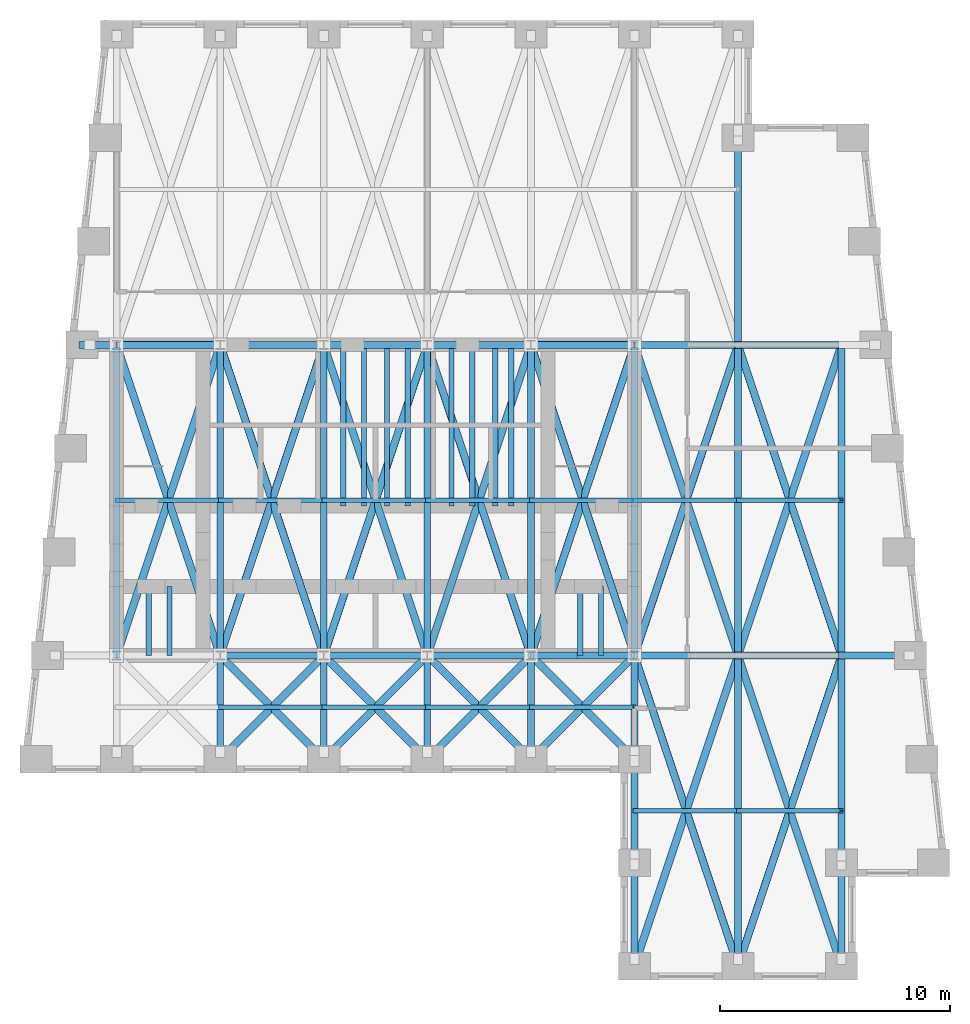
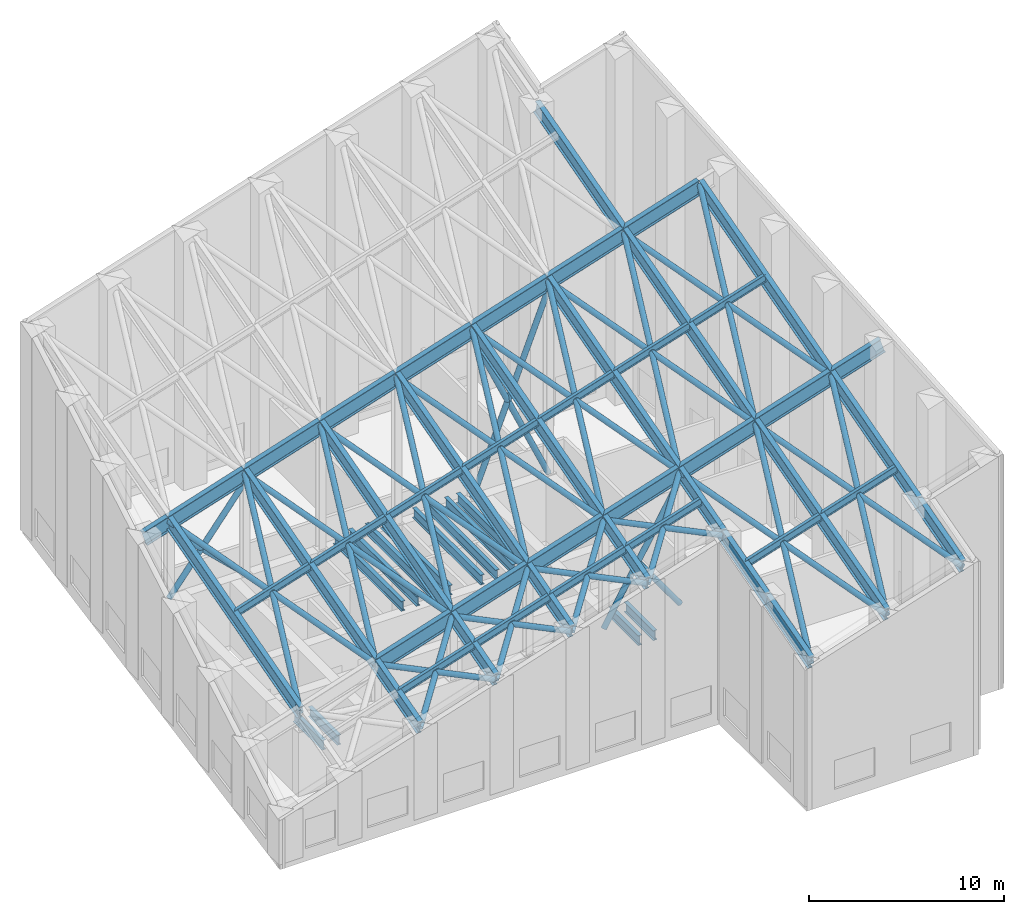
# One storey, part 2 of 7: 59 beams, 32 members.
"""IFC4 building model written with IfcOpenShell, lengths in metres."""

import ifcopenshell
import ifcopenshell.guid

model = None  # the IFC model being written
_history = None  # IfcOwnerHistory: only IFC2X3 demands one
_inside = {}  # id of a spatial element -> (the spatial element, [elements in it])
_under = {}  # id of a project, library or spatial element -> (it, [spatial elements below it])
_declared = {}  # id of a project -> (the project, [libraries it declares])
_typed = {}  # id of a type object -> (the type object, [elements of that type])
_made_of = {}  # id of a material, layer set ... -> (it, [elements and type objects made of it])


def new_model(schema):
    """Start an empty IFC model of exactly this schema.

    Asked for "IFC4X3", IfcOpenShell would pick the latest addendum, in which some entities
    have other attributes; the version numbers below select the first issue.
    IFC2X3 requires an IfcOwnerHistory on every rooted entity: one is made here for all.
    """
    global model, _history
    if schema == "IFC4X3":
        model = ifcopenshell.file(schema_version=(4, 3, 0, 0))
    else:
        model = ifcopenshell.file(schema=schema)
    _inside.clear()
    _under.clear()
    _declared.clear()
    _typed.clear()
    _made_of.clear()
    _history = None
    if model.schema == "IFC2X3":
        org = make("IfcOrganization", Name="unknown")
        user = make(
            "IfcPersonAndOrganization",
            ThePerson=make("IfcPerson", FamilyName="unknown"),
            TheOrganization=org,
        )
        app = make(
            "IfcApplication",
            ApplicationDeveloper=org,
            Version="unknown",
            ApplicationFullName="unknown",
            ApplicationIdentifier="unknown",
        )
        _history = make(
            "IfcOwnerHistory",
            OwningUser=user,
            OwningApplication=app,
            ChangeAction="ADDED",
            CreationDate=0,
        )
    return model


def make(cls, **values):
    """One entity of the class cls with the attributes given. An attribute that is None is left unset."""
    return model.create_entity(
        cls, **{name: value for name, value in values.items() if value is not None}
    )


def rooted(cls, **values):
    """An entity with a GlobalId (a new one), such as an element, a storey or a relation."""
    return make(cls, GlobalId=ifcopenshell.guid.new(), OwnerHistory=_history, **values)


def si_unit(unit_type, name, prefix=None):
    """IfcSIUnit, for example si_unit("LENGTHUNIT", "METRE", prefix="MILLI")."""
    return make("IfcSIUnit", UnitType=unit_type, Prefix=prefix, Name=name)


def assignment(units):
    """IfcUnitAssignment: the units of a project."""
    return None if units is None else make("IfcUnitAssignment", Units=units)


def point(xyz):
    """IfcCartesianPoint."""
    return None if xyz is None else make("IfcCartesianPoint", Coordinates=xyz)


def direction(xyz):
    """IfcDirection."""
    return None if xyz is None else make("IfcDirection", DirectionRatios=xyz)


def frame(location, z_axis=None, x_axis=None):
    """IfcAxis2Placement3D, a coordinate frame: its origin and axes. An axis left out is left unset."""
    return make(
        "IfcAxis2Placement3D",
        Location=point(location),
        Axis=direction(z_axis),
        RefDirection=direction(x_axis),
    )


def frame_2d(location, x_axis=None):
    """IfcAxis2Placement2D, a coordinate frame in the plane: its origin and x axis."""
    return make(
        "IfcAxis2Placement2D", Location=point(location), RefDirection=direction(x_axis)
    )


def origin():
    """The frame at (0, 0, 0) with its axes left unset."""
    return frame((0.0, 0.0, 0.0))


def origin_2d():
    """The frame at (0, 0) in the plane with its x axis left unset."""
    return frame_2d((0.0, 0.0))


def place(relative_to, where):
    """IfcLocalPlacement: puts the frame where relative to a parent placement (None: the world)."""
    return make(
        "IfcLocalPlacement", PlacementRelTo=relative_to, RelativePlacement=where
    )


def context(
    kind, dimensions, precision=None, world=None, true_north=None, identifier=None
):
    """IfcGeometricRepresentationContext, for example the 3D "Model" context."""
    return make(
        "IfcGeometricRepresentationContext",
        ContextIdentifier=identifier,
        ContextType=kind,
        CoordinateSpaceDimension=dimensions,
        Precision=precision,
        WorldCoordinateSystem=world,
        TrueNorth=true_north,
    )


def subcontext(parent, identifier, kind, view, scale=None):
    """IfcGeometricRepresentationSubContext, for example "Body" below "Model"."""
    return make(
        "IfcGeometricRepresentationSubContext",
        ContextIdentifier=identifier,
        ContextType=kind,
        ParentContext=parent,
        TargetScale=scale,
        TargetView=view,
    )


def project(units=None, contexts=None):
    """IfcProject with its units and contexts."""
    return rooted(
        "IfcProject",
        Name="project",
        RepresentationContexts=contexts,
        UnitsInContext=assignment(units),
    )


def spatial(cls, under=None, at=None, **own):
    """A site, building, storey or space (cls), placed at a placement, below another one or the project."""
    s = rooted(cls, ObjectPlacement=at, **own)
    if under is not None:
        _under.setdefault(under.id(), (under, []))[1].append(s)
    return s


def profile(cls, at=None, kind="AREA", **sizes):
    """A parametric profile (cls). Its sizes go by their IFC names, for example OverallWidth=200.0."""
    return make(cls, ProfileType=kind, Position=at, **sizes)


def hollow_circle(**sizes):
    """IfcCircleHollowProfileDef."""
    return profile("IfcCircleHollowProfileDef", **sizes)


def i_section(**sizes):
    """IfcIShapeProfileDef."""
    return profile("IfcIShapeProfileDef", **sizes)


def extrude(swept, where, along, depth):
    """IfcExtrudedAreaSolid: the profile swept, set in the frame where, extruded along a direction by depth."""
    return make(
        "IfcExtrudedAreaSolid",
        SweptArea=swept,
        Position=where,
        ExtrudedDirection=direction(along),
        Depth=depth,
    )


def shape(context_of_items, identifier, shape_type, items):
    """IfcShapeRepresentation: the items that make up one representation, for example the "Body"."""
    return make(
        "IfcShapeRepresentation",
        ContextOfItems=context_of_items,
        RepresentationIdentifier=identifier,
        RepresentationType=shape_type,
        Items=items,
    )


def material(Name=None, Category=None):
    """IfcMaterial."""
    return make("IfcMaterial", Name=Name, Category=Category)


def material_profile(
    of_material, cross_section, Name=None, Category=None, Priority=None
):
    """IfcMaterialProfile: a cross section and its material."""
    return make(
        "IfcMaterialProfile",
        Name=Name,
        Material=of_material,
        Profile=cross_section,
        Priority=Priority,
        Category=Category,
    )


def profile_set(profiles, Name=None, composite=None):
    """IfcMaterialProfileSet."""
    return make(
        "IfcMaterialProfileSet",
        Name=Name,
        MaterialProfiles=profiles,
        CompositeProfile=composite,
    )


def made_of(thing, what):
    """Note that an element or type object is made of a material, layer set ...; save() writes the relation."""
    if what is not None:
        _made_of.setdefault(what.id(), (what, []))[1].append(thing)
    return thing


def type_object(cls, material=None, **own):
    """A type object (cls), such as IfcWallType, which elements share."""
    return made_of(rooted(cls, **own), material)


def element(
    cls,
    number,
    at=None,
    inside=None,
    cuts=None,
    type_object=None,
    material=None,
    context=None,
    identifier="Body",
    shape_type=None,
    held_by="IfcProductDefinitionShape",
    body=None,
    shapes=None,
    **own,
):
    """One element of the class cls, such as IfcWall. Its Tag is "e" and its number.

    at: its placement. inside: the storey or other place that contains it. cuts: it is an
    opening in that element (IfcRelVoidsElement). A single representation is given by context,
    identifier, shape_type and body (its items); several are given by shapes. held_by: the class
    of the entity that holds the representations. save() writes the other relations.
    """
    e = rooted(cls, Tag="e%d" % number, ObjectPlacement=at, **own)
    if body is not None:
        shapes = [shape(context, identifier, shape_type, body)]
    if shapes is not None:
        e.Representation = make(held_by, Representations=shapes)
    if inside is not None:
        _inside.setdefault(inside.id(), (inside, []))[1].append(e)
    if cuts is not None:
        rooted(
            "IfcRelVoidsElement", RelatingBuildingElement=cuts, RelatedOpeningElement=e
        )
    if type_object is not None:
        _typed.setdefault(type_object.id(), (type_object, []))[1].append(e)
    return made_of(e, material)


def aggregate(whole, parts):
    """IfcRelAggregates: a whole, such as a stair, and the parts it consists of."""
    return rooted("IfcRelAggregates", RelatingObject=whole, RelatedObjects=parts)


def save(model, path):
    """Write the relations noted so far, then the file.

    IfcRelAggregates (storeys below a building ...), IfcRelContainedInSpatialStructure (elements
    in a storey), IfcRelDefinesByType, IfcRelAssociatesMaterial and IfcRelDeclares: one each for
    every whole, place, type object, material and project.
    """
    for whole, parts in _under.values():
        aggregate(whole, parts)
    for where, things in _inside.values():
        rooted(
            "IfcRelContainedInSpatialStructure",
            RelatedElements=things,
            RelatingStructure=where,
        )
    for kind, things in _typed.values():
        rooted("IfcRelDefinesByType", RelatedObjects=things, RelatingType=kind)
    for what, things in _made_of.values():
        rooted("IfcRelAssociatesMaterial", RelatedObjects=things, RelatingMaterial=what)
    for by, libraries in _declared.values():
        rooted("IfcRelDeclares", RelatingContext=by, RelatedDefinitions=libraries)
    model.write(path)


model = new_model("IFC4")

# Units and contexts
model_context = context("Model", 3, precision=1e-05, world=origin(), true_north=direction((0.0, 1.0)))
body_context = subcontext(model_context, "Body", "Model", "MODEL_VIEW")
ifc_project = project(units=[si_unit("LENGTHUNIT", "METRE"), si_unit("AREAUNIT", "SQUARE_METRE"), si_unit("VOLUMEUNIT", "CUBIC_METRE"), si_unit("PLANEANGLEUNIT", "RADIAN"), si_unit("MASSUNIT", "GRAM", prefix="KILO")], contexts=[model_context])

# Site, building, storey
site_placement = place(None, origin())
site = spatial("IfcSite", under=ifc_project, at=site_placement, CompositionType="ELEMENT")
building_placement = place(site_placement, origin())
building = spatial("IfcBuilding", under=site, at=building_placement, Name="Kilele Tower Hotel", CompositionType="ELEMENT")
storey_placement = place(building_placement, frame((0.0, 0.0, 289.699951171875)))
storey = spatial("IfcBuildingStorey", under=building, at=storey_placement, Name="CROWN", CompositionType="ELEMENT", Elevation=289.699951171875)

# Beams
ifc_material_1 = material(Name="Steel S355", Category="steel")
ifc_material_profile_1 = material_profile(ifc_material_1, i_section(OverallWidth=0.3076171875, OverallDepth=0.926513671875, WebThickness=0.01953125, FlangeThickness=0.031982421875, FilletRadius=0.01904296875, at=origin_2d()))
ifc_profile_set_1 = profile_set([ifc_material_profile_1], Name="Steel S355")
beam_type_1 = type_object("IfcBeamType", Name="Crown girder UKB 914x305x289", PredefinedType="BEAM", material=ifc_profile_set_1)
for number, where, z_axis, x_axis, name in (
    (1, (18.0, 13.5, 6.436279296875), (0.95242774696, 0.0, 0.304764477624), (0.0, 1.0, 0.0), "Crown girder CG"),
    (2, (22.5, 13.5, 7.876220703125), (0.95242774696, 0.0, 0.304764477624), (0.0, 1.0, 0.0), "Crown girder CG"),
    (3, (27.0, 13.5, 9.316162109375), (0.952412747261, 0.0, 0.304811349615), (0.0, 1.0, 0.0), "Crown girder CG"),
    (4, (31.5, 13.5, 10.75634765625), (0.95242774696, 0.0, 0.304764477624), (0.0, 1.0, 0.0), "Crown girder CG"),
    (5, (36.0, 13.5, 12.1962890625), (0.95242774696, 0.0, 0.304764477624), (0.0, 1.0, 0.0), "Crown girder CG"),
    (6, (40.5, 13.5, 13.63623046875), (0.95242774696, 0.0, 0.304764477624), (0.0, 1.0, 0.0), "Crown girder CG"),
):
    element("IfcBeam", number, at=place(storey_placement, frame(where, z_axis=z_axis, x_axis=x_axis)), inside=storey, type_object=beam_type_1, Name=name, PredefinedType="BEAM", context=body_context, shape_type="SweptSolid", body=[
        extrude(i_section(OverallWidth=0.3076171875, OverallDepth=0.926513671875, WebThickness=0.01953125, FlangeThickness=0.031982421875, FilletRadius=0.01904296875, at=origin_2d()), origin(), (0.0, 0.0, 1.0), 4.724853515625),
    ])
beam_1_placement = place(storey_placement, frame((45.0, 13.5, 15.076171875), z_axis=(0.952405246725, 0.0, 0.304834784779), x_axis=(0.0, 1.0, 0.0)))
element("IfcBeam", 7, at=beam_1_placement, inside=storey, type_object=beam_type_1, Name="Crown girder CG", PredefinedType="BEAM", context=body_context, shape_type="SweptSolid", body=[
    extrude(i_section(OverallWidth=0.3076171875, OverallDepth=0.926513671875, WebThickness=0.01953125, FlangeThickness=0.031982421875, FilletRadius=0.01904296875, at=origin_2d()), origin(), (0.0, 0.0, 1.0), 3.14990234375),
])
beam_2_placement = place(storey_placement, frame((12.0, 27.0, 8.29638671875), z_axis=(0.95242774696, 0.0, 0.304764477624), x_axis=(0.0, 1.0, 0.0)))
element("IfcBeam", 8, at=beam_2_placement, inside=storey, type_object=beam_type_1, Name="Crown girder CG", PredefinedType="BEAM", context=body_context, shape_type="SweptSolid", body=[
    extrude(i_section(OverallWidth=0.3076171875, OverallDepth=0.926513671875, WebThickness=0.01953125, FlangeThickness=0.031982421875, FilletRadius=0.01904296875, at=origin_2d()), origin(), (0.0, 0.0, 1.0), 1.574951171875),
])
for number, where, z_axis, x_axis, name in (
    (9, (13.5, 27.0, 8.7763671875), (0.95242774696, 0.0, 0.304764477624), (0.0, 1.0, 0.0), "Crown girder CG"),
    (10, (18.0, 27.0, 10.21630859375), (0.95242774696, 0.0, 0.304764477624), (0.0, 1.0, 0.0), "Crown girder CG"),
    (11, (22.5, 27.0, 11.65625), (0.95242774696, 0.0, 0.304764477624), (0.0, 1.0, 0.0), "Crown girder CG"),
    (12, (27.0, 27.0, 13.09619140625), (0.952412747261, 0.0, 0.304811349615), (0.0, 1.0, 0.0), "Crown girder CG"),
    (13, (31.5, 27.0, 14.536376953125), (0.95242774696, 0.0, 0.304764477624), (0.0, 1.0, 0.0), "Crown girder CG"),
    (14, (36.0, 27.0, 15.976318359375), (0.95242774696, 0.0, 0.304764477624), (0.0, 1.0, 0.0), "Crown girder CG"),
    (15, (40.5, 27.0, 17.416259765625), (0.95242774696, 0.0, 0.304764477624), (0.0, 1.0, 0.0), "Crown girder CG"),
):
    element("IfcBeam", number, at=place(storey_placement, frame(where, z_axis=z_axis, x_axis=x_axis)), inside=storey, type_object=beam_type_1, Name=name, PredefinedType="BEAM", context=body_context, shape_type="SweptSolid", body=[
        extrude(i_section(OverallWidth=0.3076171875, OverallDepth=0.926513671875, WebThickness=0.01953125, FlangeThickness=0.031982421875, FilletRadius=0.01904296875, at=origin_2d()), origin(), (0.0, 0.0, 1.0), 4.724853515625),
    ])

# Members
ifc_material_2 = material(Name="Steel S355", Category="steel")
ifc_material_profile_2 = material_profile(ifc_material_2, hollow_circle(Radius=0.161865234375, WallThickness=0.012451171875, at=origin_2d()))
ifc_profile_set_2 = profile_set([ifc_material_profile_2], Name="Steel S355")
member_type_1 = type_object("IfcMemberType", Name="Crown roof brace CHS 323.9x12.5", PredefinedType="BRACE", material=ifc_profile_set_2)
member_1_placement = place(storey_placement, frame((13.5, 13.5, 5.041015625), z_axis=(0.296883837521, 0.890651512562, 0.344383318687), x_axis=(-0.948683298051, 0.316227766017, 0.0)))
element("IfcMember", 16, at=member_1_placement, inside=storey, type_object=member_type_1, Name="Crown roof brace CRB", PredefinedType="BRACE", context=body_context, shape_type="SweptSolid", body=[
    extrude(hollow_circle(Radius=0.161865234375, WallThickness=0.012451171875, at=origin_2d()), origin(), (0.0, 0.0, 1.0), 15.157470703125),
])
member_2_placement = place(storey_placement, frame((13.5, 27.0, 8.82080078125), z_axis=(0.312037711644, -0.936113134931, -0.162248775412), x_axis=(0.948683298051, 0.316227766017, 0.0)))
element("IfcMember", 17, at=member_2_placement, inside=storey, type_object=member_type_1, Name="Crown roof brace CRB", PredefinedType="BRACE", context=body_context, shape_type="SweptSolid", body=[
    extrude(hollow_circle(Radius=0.161865234375, WallThickness=0.012451171875, at=origin_2d()), origin(), (0.0, 0.0, 1.0), 14.42138671875),
])
member_3_placement = place(storey_placement, frame((18.0, 9.0, 5.220947265625), z_axis=(0.650946350624, 0.650946350624, 0.390560747155), x_axis=(-0.707106781187, 0.707106781187, 0.0)))
element("IfcMember", 18, at=member_3_placement, inside=storey, type_object=member_type_1, Name="Crown roof brace CRB", PredefinedType="BRACE", context=body_context, shape_type="SweptSolid", body=[
    extrude(hollow_circle(Radius=0.161865234375, WallThickness=0.012451171875, at=origin_2d()), origin(), (0.0, 0.0, 1.0), 6.9130859375),
])
member_4_placement = place(storey_placement, frame((18.0, 13.5, 6.48095703125), z_axis=(0.706824322601, -0.706824322601, 0.028262235555), x_axis=(0.707106781187, 0.707106781187, 0.0)))
element("IfcMember", 19, at=member_4_placement, inside=storey, type_object=member_type_1, Name="Crown roof brace CRB", PredefinedType="BRACE", context=body_context, shape_type="SweptSolid", body=[
    extrude(hollow_circle(Radius=0.161865234375, WallThickness=0.012451171875, at=origin_2d()), origin(), (0.0, 0.0, 1.0), 6.366455078125),
])
member_5_placement = place(storey_placement, frame((18.0, 13.5, 6.48095703125), z_axis=(0.296883837521, 0.890651512562, 0.344383318687), x_axis=(-0.948683298051, 0.316227766017, 0.0)))
element("IfcMember", 20, at=member_5_placement, inside=storey, type_object=member_type_1, Name="Crown roof brace CRB", PredefinedType="BRACE", context=body_context, shape_type="SweptSolid", body=[
    extrude(hollow_circle(Radius=0.161865234375, WallThickness=0.012451171875, at=origin_2d()), origin(), (0.0, 0.0, 1.0), 15.157470703125),
])
member_6_placement = place(storey_placement, frame((18.0, 27.0, 10.260986328125), z_axis=(0.312036854519, -0.936110563557, -0.16226525882), x_axis=(0.948683298051, 0.316227766017, 0.0)))
element("IfcMember", 21, at=member_6_placement, inside=storey, type_object=member_type_1, Name="Crown roof brace CRB", PredefinedType="BRACE", context=body_context, shape_type="SweptSolid", body=[
    extrude(hollow_circle(Radius=0.161865234375, WallThickness=0.012451171875, at=origin_2d()), origin(), (0.0, 0.0, 1.0), 14.42138671875),
])
member_7_placement = place(storey_placement, frame((22.5, 9.0, 6.660888671875), z_axis=(0.650946350624, 0.650946350624, 0.390560747155), x_axis=(-0.707106781187, 0.707106781187, 0.0)))
element("IfcMember", 22, at=member_7_placement, inside=storey, type_object=member_type_1, Name="Crown roof brace CRB", PredefinedType="BRACE", context=body_context, shape_type="SweptSolid", body=[
    extrude(hollow_circle(Radius=0.161865234375, WallThickness=0.012451171875, at=origin_2d()), origin(), (0.0, 0.0, 1.0), 6.9130859375),
])
member_8_placement = place(storey_placement, frame((22.5, 13.5, 7.9208984375), z_axis=(0.706824322601, -0.706824322601, 0.028262235555), x_axis=(0.707106781187, 0.707106781187, 0.0)))
element("IfcMember", 23, at=member_8_placement, inside=storey, type_object=member_type_1, Name="Crown roof brace CRB", PredefinedType="BRACE", context=body_context, shape_type="SweptSolid", body=[
    extrude(hollow_circle(Radius=0.161865234375, WallThickness=0.012451171875, at=origin_2d()), origin(), (0.0, 0.0, 1.0), 6.366455078125),
])
member_9_placement = place(storey_placement, frame((22.5, 13.5, 7.9208984375), z_axis=(0.296883837521, 0.890651512562, 0.344383318687), x_axis=(-0.948683298051, 0.316227766017, 0.0)))
element("IfcMember", 24, at=member_9_placement, inside=storey, type_object=member_type_1, Name="Crown roof brace CRB", PredefinedType="BRACE", context=body_context, shape_type="SweptSolid", body=[
    extrude(hollow_circle(Radius=0.161865234375, WallThickness=0.012451171875, at=origin_2d()), origin(), (0.0, 0.0, 1.0), 15.157470703125),
])
member_10_placement = place(storey_placement, frame((22.5, 27.0, 11.700927734375), z_axis=(0.312036854519, -0.936110563557, -0.16226525882), x_axis=(0.948683298051, 0.316227766017, 0.0)))
element("IfcMember", 25, at=member_10_placement, inside=storey, type_object=member_type_1, Name="Crown roof brace CRB", PredefinedType="BRACE", context=body_context, shape_type="SweptSolid", body=[
    extrude(hollow_circle(Radius=0.161865234375, WallThickness=0.012451171875, at=origin_2d()), origin(), (0.0, 0.0, 1.0), 14.42138671875),
])
member_11_placement = place(storey_placement, frame((27.0, 9.0, 8.100830078125), z_axis=(0.650937371847, 0.650937371847, 0.390590675599), x_axis=(-0.707106781187, 0.707106781187, 0.0)))
element("IfcMember", 26, at=member_11_placement, inside=storey, type_object=member_type_1, Name="Crown roof brace CRB", PredefinedType="BRACE", context=body_context, shape_type="SweptSolid", body=[
    extrude(hollow_circle(Radius=0.161865234375, WallThickness=0.012451171875, at=origin_2d()), origin(), (0.0, 0.0, 1.0), 6.9130859375),
])
member_12_placement = place(storey_placement, frame((27.0, 13.5, 9.36083984375), z_axis=(0.706823556033, -0.706823556033, 0.028300552536), x_axis=(0.707106781187, 0.707106781187, 0.0)))
element("IfcMember", 27, at=member_12_placement, inside=storey, type_object=member_type_1, Name="Crown roof brace CRB", PredefinedType="BRACE", context=body_context, shape_type="SweptSolid", body=[
    extrude(hollow_circle(Radius=0.161865234375, WallThickness=0.012451171875, at=origin_2d()), origin(), (0.0, 0.0, 1.0), 6.366455078125),
])
member_13_placement = place(storey_placement, frame((27.0, 13.5, 9.36083984375), z_axis=(0.296883837521, 0.890651512562, 0.344383318687), x_axis=(-0.948683298051, 0.316227766017, 0.0)))
element("IfcMember", 28, at=member_13_placement, inside=storey, type_object=member_type_1, Name="Crown roof brace CRB", PredefinedType="BRACE", context=body_context, shape_type="SweptSolid", body=[
    extrude(hollow_circle(Radius=0.161865234375, WallThickness=0.012451171875, at=origin_2d()), origin(), (0.0, 0.0, 1.0), 15.157470703125),
])
member_14_placement = place(storey_placement, frame((27.0, 27.0, 13.140869140625), z_axis=(0.312037711644, -0.936113134931, -0.162248775412), x_axis=(0.948683298051, 0.316227766017, 0.0)))
element("IfcMember", 29, at=member_14_placement, inside=storey, type_object=member_type_1, Name="Crown roof brace CRB", PredefinedType="BRACE", context=body_context, shape_type="SweptSolid", body=[
    extrude(hollow_circle(Radius=0.161865234375, WallThickness=0.012451171875, at=origin_2d()), origin(), (0.0, 0.0, 1.0), 14.42138671875),
])
member_15_placement = place(storey_placement, frame((31.5, 9.0, 9.541015625), z_axis=(0.650946350624, 0.650946350624, 0.390560747155), x_axis=(-0.707106781187, 0.707106781187, 0.0)))
element("IfcMember", 30, at=member_15_placement, inside=storey, type_object=member_type_1, Name="Crown roof brace CRB", PredefinedType="BRACE", context=body_context, shape_type="SweptSolid", body=[
    extrude(hollow_circle(Radius=0.161865234375, WallThickness=0.012451171875, at=origin_2d()), origin(), (0.0, 0.0, 1.0), 6.9130859375),
])
member_16_placement = place(storey_placement, frame((31.5, 13.5, 10.801025390625), z_axis=(0.706824322601, -0.706824322601, 0.028262235555), x_axis=(0.707106781187, 0.707106781187, 0.0)))
element("IfcMember", 31, at=member_16_placement, inside=storey, type_object=member_type_1, Name="Crown roof brace CRB", PredefinedType="BRACE", context=body_context, shape_type="SweptSolid", body=[
    extrude(hollow_circle(Radius=0.161865234375, WallThickness=0.012451171875, at=origin_2d()), origin(), (0.0, 0.0, 1.0), 6.366455078125),
])
member_17_placement = place(storey_placement, frame((31.5, 13.5, 10.801025390625), z_axis=(0.296883837521, 0.890651512562, 0.344383318687), x_axis=(-0.948683298051, 0.316227766017, 0.0)))
element("IfcMember", 32, at=member_17_placement, inside=storey, type_object=member_type_1, Name="Crown roof brace CRB", PredefinedType="BRACE", context=body_context, shape_type="SweptSolid", body=[
    extrude(hollow_circle(Radius=0.161865234375, WallThickness=0.012451171875, at=origin_2d()), origin(), (0.0, 0.0, 1.0), 15.157470703125),
])
member_18_placement = place(storey_placement, frame((31.5, 27.0, 14.580810546875), z_axis=(0.312037711644, -0.936113134931, -0.162248775412), x_axis=(0.948683298051, 0.316227766017, 0.0)))
element("IfcMember", 33, at=member_18_placement, inside=storey, type_object=member_type_1, Name="Crown roof brace CRB", PredefinedType="BRACE", context=body_context, shape_type="SweptSolid", body=[
    extrude(hollow_circle(Radius=0.161865234375, WallThickness=0.012451171875, at=origin_2d()), origin(), (0.0, 0.0, 1.0), 14.42138671875),
])
member_19_placement = place(storey_placement, frame((36.0, 0.0, 8.4609375), z_axis=(0.296883837521, 0.890651512562, 0.344383318687), x_axis=(-0.948683298051, 0.316227766017, 0.0)))
element("IfcMember", 34, at=member_19_placement, inside=storey, type_object=member_type_1, Name="Crown roof brace CRB", PredefinedType="BRACE", context=body_context, shape_type="SweptSolid", body=[
    extrude(hollow_circle(Radius=0.161865234375, WallThickness=0.012451171875, at=origin_2d()), origin(), (0.0, 0.0, 1.0), 15.157470703125),
])
member_20_placement = place(storey_placement, frame((36.0, 13.5, 12.240966796875), z_axis=(0.312036854519, -0.936110563557, -0.16226525882), x_axis=(0.948683298051, 0.316227766017, 0.0)))
element("IfcMember", 35, at=member_20_placement, inside=storey, type_object=member_type_1, Name="Crown roof brace CRB", PredefinedType="BRACE", context=body_context, shape_type="SweptSolid", body=[
    extrude(hollow_circle(Radius=0.161865234375, WallThickness=0.012451171875, at=origin_2d()), origin(), (0.0, 0.0, 1.0), 14.42138671875),
])
member_21_placement = place(storey_placement, frame((36.0, 13.5, 12.240966796875), z_axis=(0.296883837521, 0.890651512562, 0.344383318687), x_axis=(-0.948683298051, 0.316227766017, 0.0)))
element("IfcMember", 36, at=member_21_placement, inside=storey, type_object=member_type_1, Name="Crown roof brace CRB", PredefinedType="BRACE", context=body_context, shape_type="SweptSolid", body=[
    extrude(hollow_circle(Radius=0.161865234375, WallThickness=0.012451171875, at=origin_2d()), origin(), (0.0, 0.0, 1.0), 15.157470703125),
])
member_22_placement = place(storey_placement, frame((36.0, 27.0, 16.02099609375), z_axis=(0.312036854519, -0.936110563557, -0.16226525882), x_axis=(0.948683298051, 0.316227766017, 0.0)))
element("IfcMember", 37, at=member_22_placement, inside=storey, type_object=member_type_1, Name="Crown roof brace CRB", PredefinedType="BRACE", context=body_context, shape_type="SweptSolid", body=[
    extrude(hollow_circle(Radius=0.161865234375, WallThickness=0.012451171875, at=origin_2d()), origin(), (0.0, 0.0, 1.0), 14.42138671875),
])
member_23_placement = place(storey_placement, frame((40.5, 0.0, 9.90087890625), z_axis=(0.296883837521, 0.890651512562, 0.344383318687), x_axis=(-0.948683298051, 0.316227766017, 0.0)))
element("IfcMember", 38, at=member_23_placement, inside=storey, type_object=member_type_1, Name="Crown roof brace CRB", PredefinedType="BRACE", context=body_context, shape_type="SweptSolid", body=[
    extrude(hollow_circle(Radius=0.161865234375, WallThickness=0.012451171875, at=origin_2d()), origin(), (0.0, 0.0, 1.0), 15.157470703125),
])
member_24_placement = place(storey_placement, frame((40.5, 13.5, 13.680908203125), z_axis=(0.312036854519, -0.936110563557, -0.16226525882), x_axis=(0.948683298051, 0.316227766017, 0.0)))
element("IfcMember", 39, at=member_24_placement, inside=storey, type_object=member_type_1, Name="Crown roof brace CRB", PredefinedType="BRACE", context=body_context, shape_type="SweptSolid", body=[
    extrude(hollow_circle(Radius=0.161865234375, WallThickness=0.012451171875, at=origin_2d()), origin(), (0.0, 0.0, 1.0), 14.42138671875),
])
member_25_placement = place(storey_placement, frame((40.5, 13.5, 13.680908203125), z_axis=(0.296883837521, 0.890651512562, 0.344383318687), x_axis=(-0.948683298051, 0.316227766017, 0.0)))
element("IfcMember", 40, at=member_25_placement, inside=storey, type_object=member_type_1, Name="Crown roof brace CRB", PredefinedType="BRACE", context=body_context, shape_type="SweptSolid", body=[
    extrude(hollow_circle(Radius=0.161865234375, WallThickness=0.012451171875, at=origin_2d()), origin(), (0.0, 0.0, 1.0), 15.157470703125),
])
member_26_placement = place(storey_placement, frame((40.5, 27.0, 17.4609375), z_axis=(0.312036854519, -0.936110563557, -0.16226525882), x_axis=(0.948683298051, 0.316227766017, 0.0)))
element("IfcMember", 41, at=member_26_placement, inside=storey, type_object=member_type_1, Name="Crown roof brace CRB", PredefinedType="BRACE", context=body_context, shape_type="SweptSolid", body=[
    extrude(hollow_circle(Radius=0.161865234375, WallThickness=0.012451171875, at=origin_2d()), origin(), (0.0, 0.0, 1.0), 14.42138671875),
])
ifc_material_3 = material(Name="Steel S355", Category="steel")
ifc_material_profile_3 = material_profile(ifc_material_3, hollow_circle(Radius=0.161865234375, WallThickness=0.012451171875, at=origin_2d()))
ifc_profile_set_3 = profile_set([ifc_material_profile_3], Name="Steel S355")
member_type_2 = type_object("IfcMemberType", Name="Crown vertical brace CHS 323.9x12.5", PredefinedType="BRACE", material=ifc_profile_set_3)
member_27_placement = place(storey_placement, frame((31.5, 13.5, 4.0), z_axis=(0.504093767173, 0.0, 0.863648929772), x_axis=(0.0, 1.0, 0.0)))
element("IfcMember", 42, at=member_27_placement, inside=storey, type_object=member_type_2, Name="Crown vertical brace CVB", PredefinedType="BRACE", context=body_context, shape_type="SweptSolid", body=[
    extrude(hollow_circle(Radius=0.161865234375, WallThickness=0.012451171875, at=origin_2d()), origin(), (0.0, 0.0, 1.0), 8.927001953125),
])
member_28_placement = place(storey_placement, frame((36.0, 13.5, 4.0), z_axis=(-0.583089022125, 0.0, 0.812408266992), x_axis=(0.0, -1.0, 0.0)))
element("IfcMember", 43, at=member_28_placement, inside=storey, type_object=member_type_2, Name="Crown vertical brace CVB", PredefinedType="BRACE", context=body_context, shape_type="SweptSolid", body=[
    extrude(hollow_circle(Radius=0.161865234375, WallThickness=0.012451171875, at=origin_2d()), origin(), (0.0, 0.0, 1.0), 7.717529296875),
])
member_29_placement = place(storey_placement, frame((13.5, 27.0, 4.0), z_axis=(0.617657265201, 0.0, 0.786447393501), x_axis=(0.0, 1.0, 0.0)))
element("IfcMember", 44, at=member_29_placement, inside=storey, type_object=member_type_2, Name="Crown vertical brace CVB", PredefinedType="BRACE", context=body_context, shape_type="SweptSolid", body=[
    extrude(hollow_circle(Radius=0.161865234375, WallThickness=0.012451171875, at=origin_2d()), origin(), (0.0, 0.0, 1.0), 7.28564453125),
])
member_30_placement = place(storey_placement, frame((18.0, 27.0, 4.0), z_axis=(-0.723810061076, 0.0, 0.68999927209), x_axis=(0.0, -1.0, 0.0)))
element("IfcMember", 45, at=member_30_placement, inside=storey, type_object=member_type_2, Name="Crown vertical brace CVB", PredefinedType="BRACE", context=body_context, shape_type="SweptSolid", body=[
    extrude(hollow_circle(Radius=0.161865234375, WallThickness=0.012451171875, at=origin_2d()), origin(), (0.0, 0.0, 1.0), 6.217041015625),
])
member_31_placement = place(storey_placement, frame((31.5, 27.0, 4.0), z_axis=(0.364681320023, 0.0, 0.931132393823), x_axis=(0.0, 1.0, 0.0)))
element("IfcMember", 46, at=member_31_placement, inside=storey, type_object=member_type_2, Name="Crown vertical brace CVB", PredefinedType="BRACE", context=body_context, shape_type="SweptSolid", body=[
    extrude(hollow_circle(Radius=0.161865234375, WallThickness=0.012451171875, at=origin_2d()), origin(), (0.0, 0.0, 1.0), 12.339599609375),
])
member_32_placement = place(storey_placement, frame((36.0, 27.0, 4.0), z_axis=(-0.408671350998, 0.0, 0.91268161309), x_axis=(0.0, -1.0, 0.0)))
element("IfcMember", 47, at=member_32_placement, inside=storey, type_object=member_type_2, Name="Crown vertical brace CVB", PredefinedType="BRACE", context=body_context, shape_type="SweptSolid", body=[
    extrude(hollow_circle(Radius=0.161865234375, WallThickness=0.012451171875, at=origin_2d()), origin(), (0.0, 0.0, 1.0), 11.01123046875),
])

# Beams
ifc_material_4 = material(Name="Steel S355", Category="steel")
ifc_material_profile_4 = material_profile(ifc_material_4, i_section(OverallWidth=0.230224609375, OverallDepth=0.6171875, WebThickness=0.01318359375, FlangeThickness=0.022216796875, FilletRadius=0.0126953125, at=origin_2d()))
ifc_profile_set_4 = profile_set([ifc_material_profile_4], Name="Steel S355")
beam_type_2 = type_object("IfcBeamType", Name="Lift machine beam UKB 610x229x140", PredefinedType="USERDEFINED", material=ifc_profile_set_4)
for number, where, z_axis, x_axis, name in (
    (48, (23.35009765625, 20.0, 4.30859375), (0.0, 1.0, 0.0), (-1.0, 0.0, 0.0), "Lift machine beam LMB"),
    (49, (24.25, 20.0, 4.30859375), (0.0, 1.0, 0.0), (-1.0, 0.0, 0.0), "Lift machine beam LMB"),
    (50, (25.25, 20.0, 4.30859375), (0.0, 1.0, 0.0), (-1.0, 0.0, 0.0), "Lift machine beam LMB"),
    (51, (26.14990234375, 20.0, 4.30859375), (0.0, 1.0, 0.0), (-1.0, 0.0, 0.0), "Lift machine beam LMB"),
    (52, (28.050048828125, 20.0, 4.30859375), (0.0, 1.0, 0.0), (-1.0, 0.0, 0.0), "Lift machine beam LMB"),
    (53, (28.949951171875, 20.0, 4.30859375), (0.0, 1.0, 0.0), (-1.0, 0.0, 0.0), "Lift machine beam LMB"),
    (54, (29.949951171875, 20.0, 4.30859375), (0.0, 1.0, 0.0), (-1.0, 0.0, 0.0), "Lift machine beam LMB"),
    (55, (30.64990234375, 20.0, 4.30859375), (0.0, 1.0, 0.0), (-1.0, 0.0, 0.0), "Lift machine beam LMB"),
):
    element("IfcBeam", number, at=place(storey_placement, frame(where, z_axis=z_axis, x_axis=x_axis)), inside=storey, type_object=beam_type_2, Name=name, ObjectType="LIFT MACHINE BEAM", PredefinedType="USERDEFINED", context=body_context, shape_type="SweptSolid", body=[
        extrude(i_section(OverallWidth=0.230224609375, OverallDepth=0.6171875, WebThickness=0.01318359375, FlangeThickness=0.022216796875, FilletRadius=0.0126953125, at=origin_2d()), origin(), (0.0, 0.0, 1.0), 7.0),
    ])
for number, where, z_axis, x_axis, name in (
    (56, (14.89990234375, 13.5, 2.491455078125), (0.0, 1.0, 0.0), (-1.0, 0.0, 0.0), "Lift machine beam LMB"),
    (57, (15.800048828125, 13.5, 2.491455078125), (0.0, 1.0, 0.0), (-1.0, 0.0, 0.0), "Lift machine beam LMB"),
    (58, (33.64990234375, 13.5, 2.491455078125), (0.0, 1.0, 0.0), (-1.0, 0.0, 0.0), "Lift machine beam LMB"),
    (59, (34.550048828125, 13.5, 2.491455078125), (0.0, 1.0, 0.0), (-1.0, 0.0, 0.0), "Lift machine beam LMB"),
):
    element("IfcBeam", number, at=place(storey_placement, frame(where, z_axis=z_axis, x_axis=x_axis)), inside=storey, type_object=beam_type_2, Name=name, ObjectType="LIFT MACHINE BEAM", PredefinedType="USERDEFINED", context=body_context, shape_type="SweptSolid", body=[
        extrude(i_section(OverallWidth=0.230224609375, OverallDepth=0.6171875, WebThickness=0.01318359375, FlangeThickness=0.022216796875, FilletRadius=0.0126953125, at=origin_2d()), origin(), (0.0, 0.0, 1.0), 3.0),
    ])
ifc_material_5 = material(Name="Steel S355", Category="steel")
ifc_material_profile_5 = material_profile(ifc_material_5, i_section(OverallWidth=0.19140625, OverallDepth=0.4599609375, WebThickness=0.010009765625, FlangeThickness=0.01611328125, FilletRadius=0.01025390625, at=origin_2d()))
ifc_profile_set_5 = profile_set([ifc_material_profile_5], Name="Steel S355")
beam_type_3 = type_object("IfcBeamType", Name="Purlin UKB 457x191x82", PredefinedType="USERDEFINED", material=ifc_profile_set_5)
for number, where, z_axis, x_axis, name in (
    (60, (13.5, 20.25, 7.13134765625), (0.95242774696, 0.0, 0.304764477624), (0.0, 1.0, 0.0), "Purlin CPU"),
    (61, (18.0, 11.25, 6.05126953125), (0.95242774696, 0.0, 0.304764477624), (0.0, 1.0, 0.0), "Purlin CPU"),
    (62, (18.0, 20.25, 8.5712890625), (0.95242774696, 0.0, 0.304764477624), (0.0, 1.0, 0.0), "Purlin CPU"),
    (63, (22.5, 11.25, 7.4912109375), (0.95242774696, 0.0, 0.304764477624), (0.0, 1.0, 0.0), "Purlin CPU"),
    (64, (22.5, 20.25, 10.01123046875), (0.95242774696, 0.0, 0.304764477624), (0.0, 1.0, 0.0), "Purlin CPU"),
    (65, (27.0, 11.25, 8.93115234375), (0.952412747261, 0.0, 0.304811349615), (0.0, 1.0, 0.0), "Purlin CPU"),
    (66, (27.0, 20.25, 11.451171875), (0.95242774696, 0.0, 0.304764477624), (0.0, 1.0, 0.0), "Purlin CPU"),
    (67, (31.5, 11.25, 10.371337890625), (0.95242774696, 0.0, 0.304764477624), (0.0, 1.0, 0.0), "Purlin CPU"),
    (68, (31.5, 20.25, 12.89111328125), (0.952412747261, 0.0, 0.304811349615), (0.0, 1.0, 0.0), "Purlin CPU"),
    (69, (36.0, 6.75, 10.55126953125), (0.95242774696, 0.0, 0.304764477624), (0.0, 1.0, 0.0), "Purlin CPU"),
    (70, (36.0, 20.25, 14.331298828125), (0.95242774696, 0.0, 0.304764477624), (0.0, 1.0, 0.0), "Purlin CPU"),
    (71, (40.5, 6.75, 11.9912109375), (0.95242774696, 0.0, 0.304764477624), (0.0, 1.0, 0.0), "Purlin CPU"),
    (72, (40.5, 20.25, 15.771240234375), (0.95242774696, 0.0, 0.304764477624), (0.0, 1.0, 0.0), "Purlin CPU"),
):
    element("IfcBeam", number, at=place(storey_placement, frame(where, z_axis=z_axis, x_axis=x_axis)), inside=storey, type_object=beam_type_3, Name=name, ObjectType="PURLIN", PredefinedType="USERDEFINED", context=body_context, shape_type="SweptSolid", body=[
        extrude(i_section(OverallWidth=0.19140625, OverallDepth=0.4599609375, WebThickness=0.010009765625, FlangeThickness=0.01611328125, FilletRadius=0.01025390625, at=origin_2d()), origin(), (0.0, 0.0, 1.0), 4.724853515625),
    ])
ifc_material_6 = material(Name="Steel S355", Category="steel")
ifc_material_profile_6 = material_profile(ifc_material_6, i_section(OverallWidth=0.293701171875, OverallDepth=0.850830078125, WebThickness=0.01611328125, FlangeThickness=0.02685546875, FilletRadius=0.017822265625, at=origin_2d()))
ifc_profile_set_6 = profile_set([ifc_material_profile_6], Name="Steel S355")
beam_type_4 = type_object("IfcBeamType", Name="Rafter UKB 838x292x226", PredefinedType="USERDEFINED", material=ifc_profile_set_6)
for number, where, z_axis, x_axis, name in (
    (73, (18.0, 13.5, 6.48095703125), (0.0, 0.962963477118, 0.269631863357), (-1.0, 0.0, 0.0), "Rafter CR1"),
    (74, (22.5, 13.5, 7.9208984375), (0.0, 0.962963477118, 0.269631863357), (-1.0, 0.0, 0.0), "Rafter CR1"),
    (75, (27.0, 13.5, 9.36083984375), (0.0, 0.962963477118, 0.269631863357), (-1.0, 0.0, 0.0), "Rafter CR1"),
):
    element("IfcBeam", number, at=place(storey_placement, frame(where, z_axis=z_axis, x_axis=x_axis)), inside=storey, type_object=beam_type_4, Name=name, ObjectType="RAFTER", PredefinedType="USERDEFINED", context=body_context, shape_type="SweptSolid", body=[
        extrude(i_section(OverallWidth=0.293701171875, OverallDepth=0.850830078125, WebThickness=0.01611328125, FlangeThickness=0.02685546875, FilletRadius=0.017822265625, at=origin_2d()), origin(), (0.0, 0.0, 1.0), 14.019287109375),
    ])
beam_3_placement = place(storey_placement, frame((31.5, 13.5, 10.801025390625), z_axis=(0.0, 0.962967998655, 0.269615714612), x_axis=(-1.0, 0.0, 0.0)))
element("IfcBeam", 76, at=beam_3_placement, inside=storey, type_object=beam_type_4, Name="Rafter CR1", ObjectType="RAFTER", PredefinedType="USERDEFINED", context=body_context, shape_type="SweptSolid", body=[
    extrude(i_section(OverallWidth=0.293701171875, OverallDepth=0.850830078125, WebThickness=0.01611328125, FlangeThickness=0.02685546875, FilletRadius=0.017822265625, at=origin_2d()), origin(), (0.0, 0.0, 1.0), 14.01904296875),
])
for number, where, z_axis, x_axis, name in (
    (77, (36.0, 13.5, 12.240966796875), (0.0, 0.962963477118, 0.269631863357), (-1.0, 0.0, 0.0), "Rafter CR1"),
    (78, (40.5, 0.0, 9.90087890625), (0.0, 0.962963477118, 0.269631863357), (-1.0, 0.0, 0.0), "Rafter CR1"),
    (79, (40.5, 13.5, 13.680908203125), (0.0, 0.962963477118, 0.269631863357), (-1.0, 0.0, 0.0), "Rafter CR1"),
    (80, (45.0, 13.5, 15.120849609375), (0.0, 0.962963477118, 0.269631863357), (-1.0, 0.0, 0.0), "Rafter CR1"),
):
    element("IfcBeam", number, at=place(storey_placement, frame(where, z_axis=z_axis, x_axis=x_axis)), inside=storey, type_object=beam_type_4, Name=name, ObjectType="RAFTER", PredefinedType="USERDEFINED", context=body_context, shape_type="SweptSolid", body=[
        extrude(i_section(OverallWidth=0.293701171875, OverallDepth=0.850830078125, WebThickness=0.01611328125, FlangeThickness=0.02685546875, FilletRadius=0.017822265625, at=origin_2d()), origin(), (0.0, 0.0, 1.0), 14.019287109375),
    ])
ifc_material_7 = material(Name="Steel S355", Category="steel")
ifc_material_profile_7 = material_profile(ifc_material_7, i_section(OverallWidth=0.293701171875, OverallDepth=0.850830078125, WebThickness=0.01611328125, FlangeThickness=0.02685546875, FilletRadius=0.017822265625, at=origin_2d()))
ifc_profile_set_7 = profile_set([ifc_material_profile_7], Name="Steel S355")
beam_type_5 = type_object("IfcBeamType", Name="Rafter UKB 838x292x226 edge", PredefinedType="USERDEFINED", material=ifc_profile_set_7)
beam_4_placement = place(storey_placement, frame((13.5, 13.5, 5.041015625), z_axis=(0.0, 0.962967998655, 0.269615714612), x_axis=(-1.0, 0.0, 0.0)))
element("IfcBeam", 81, at=beam_4_placement, inside=storey, type_object=beam_type_5, Name="Rafter CR2", ObjectType="RAFTER", PredefinedType="USERDEFINED", context=body_context, shape_type="SweptSolid", body=[
    extrude(i_section(OverallWidth=0.293701171875, OverallDepth=0.850830078125, WebThickness=0.01611328125, FlangeThickness=0.02685546875, FilletRadius=0.017822265625, at=origin_2d()), origin(), (0.0, 0.0, 1.0), 14.01904296875),
])
ifc_material_8 = material(Name="Steel S355", Category="steel")
ifc_material_profile_8 = material_profile(ifc_material_8, i_section(OverallWidth=0.293701171875, OverallDepth=0.850830078125, WebThickness=0.01611328125, FlangeThickness=0.02685546875, FilletRadius=0.017822265625, at=origin_2d()))
ifc_profile_set_8 = profile_set([ifc_material_profile_8], Name="Steel S355")
beam_type_6 = type_object("IfcBeamType", Name="Rafter UKB 838x292x226 mid span", PredefinedType="USERDEFINED", material=ifc_profile_set_8)
for number, where, z_axis, x_axis, name in (
    (82, (40.5, 27.0, 17.4609375), (0.0, 0.962963477118, 0.269631863357), (-1.0, 0.0, 0.0), "Rafter CR3"),
    (83, (45.0, 4.5, 12.600830078125), (0.0, 0.962963477118, 0.269631863357), (-1.0, 0.0, 0.0), "Rafter CR3"),
):
    element("IfcBeam", number, at=place(storey_placement, frame(where, z_axis=z_axis, x_axis=x_axis)), inside=storey, type_object=beam_type_6, Name=name, ObjectType="RAFTER", PredefinedType="USERDEFINED", context=body_context, shape_type="SweptSolid", body=[
        extrude(i_section(OverallWidth=0.293701171875, OverallDepth=0.850830078125, WebThickness=0.01611328125, FlangeThickness=0.02685546875, FilletRadius=0.017822265625, at=origin_2d()), origin(), (0.0, 0.0, 1.0), 9.34619140625),
    ])
ifc_material_9 = material(Name="Steel S355", Category="steel")
ifc_material_profile_9 = material_profile(ifc_material_9, i_section(OverallWidth=0.293701171875, OverallDepth=0.850830078125, WebThickness=0.01611328125, FlangeThickness=0.02685546875, FilletRadius=0.017822265625, at=origin_2d()))
ifc_profile_set_9 = profile_set([ifc_material_profile_9], Name="Steel S355")
beam_type_7 = type_object("IfcBeamType", Name="Rafter UKB 838x292x226 short span", PredefinedType="USERDEFINED", material=ifc_profile_set_9)
for number, where, z_axis, x_axis, name in (
    (84, (18.0, 9.0, 5.220947265625), (0.0, 0.962963477118, 0.269631863357), (-1.0, 0.0, 0.0), "Rafter CR4"),
    (85, (22.5, 9.0, 6.660888671875), (0.0, 0.962963477118, 0.269631863357), (-1.0, 0.0, 0.0), "Rafter CR4"),
    (86, (27.0, 9.0, 8.100830078125), (0.0, 0.962963477118, 0.269631863357), (-1.0, 0.0, 0.0), "Rafter CR4"),
    (87, (31.5, 9.0, 9.541015625), (0.0, 0.962963477118, 0.269631863357), (-1.0, 0.0, 0.0), "Rafter CR4"),
    (88, (36.0, 0.0, 8.4609375), (0.0, 0.962963477118, 0.269631863357), (-1.0, 0.0, 0.0), "Rafter CR4"),
    (89, (36.0, 4.5, 9.720947265625), (0.0, 0.962963477118, 0.269631863357), (-1.0, 0.0, 0.0), "Rafter CR4"),
    (90, (36.0, 9.0, 10.98095703125), (0.0, 0.962963477118, 0.269631863357), (-1.0, 0.0, 0.0), "Rafter CR4"),
    (91, (45.0, 0.0, 11.3408203125), (0.0, 0.962963477118, 0.269631863357), (-1.0, 0.0, 0.0), "Rafter CR4"),
):
    element("IfcBeam", number, at=place(storey_placement, frame(where, z_axis=z_axis, x_axis=x_axis)), inside=storey, type_object=beam_type_7, Name=name, ObjectType="RAFTER", PredefinedType="USERDEFINED", context=body_context, shape_type="SweptSolid", body=[
        extrude(i_section(OverallWidth=0.293701171875, OverallDepth=0.850830078125, WebThickness=0.01611328125, FlangeThickness=0.02685546875, FilletRadius=0.017822265625, at=origin_2d()), origin(), (0.0, 0.0, 1.0), 4.673095703125),
    ])

save(model, "model.ifc")
